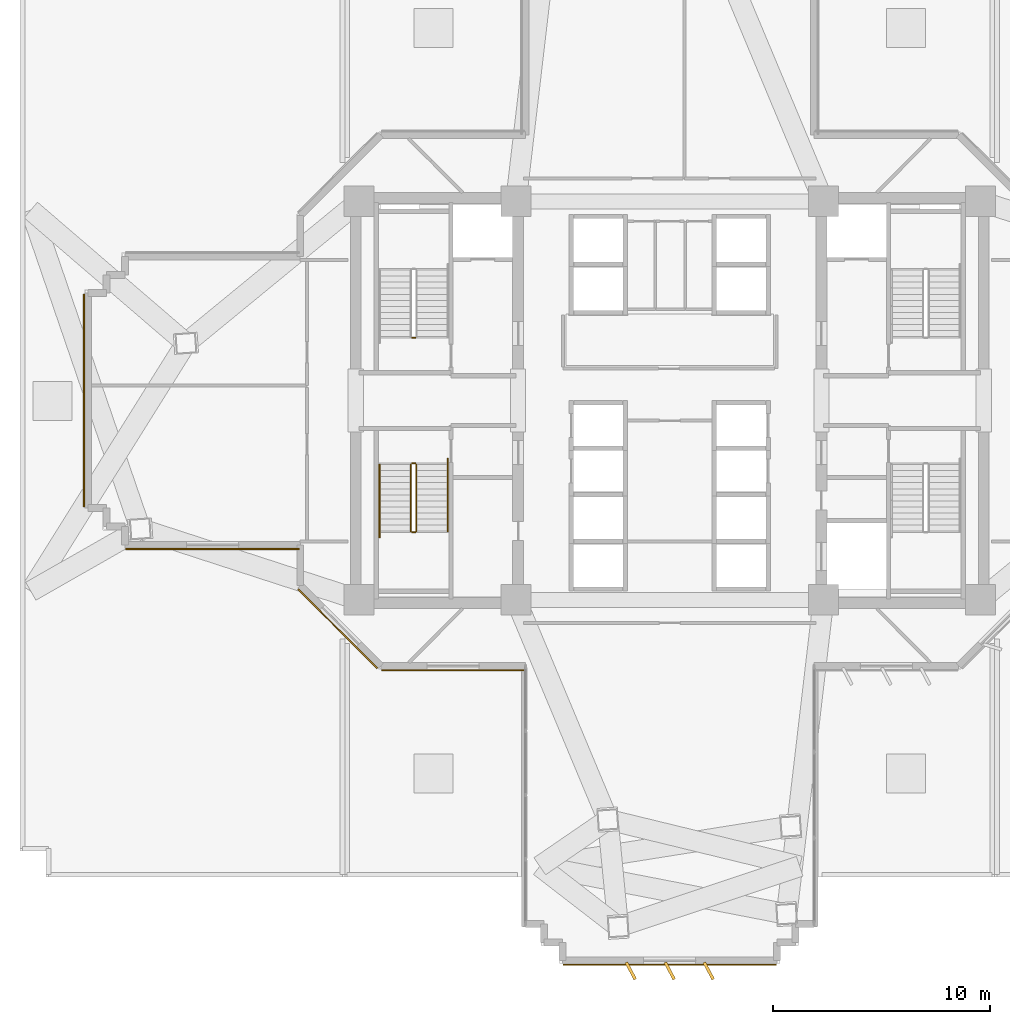
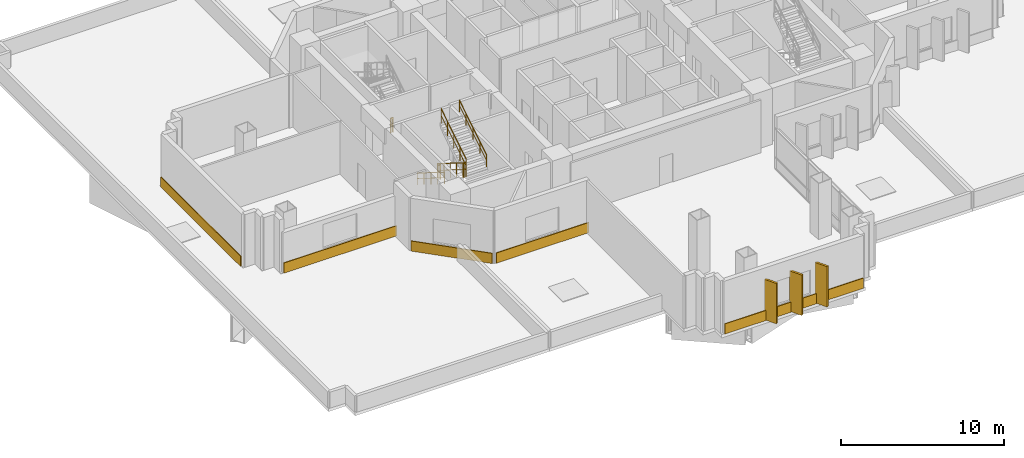
# One storey, part 12 of 15: 7 railings, 5 coverings, 3 shading devices.
"""IFC4 building model written with IfcOpenShell, lengths in metres."""

from ifc_helpers import new_model, si_unit, direction, frame, origin, origin_2d, place, context, subcontext, project, spatial, rectangle, extrude, source, transform, mapped, material, layer, layer_set, type_object, element, save


model = new_model("IFC4")

# Units and contexts
model_context = context("Model", 3, precision=1e-05, world=origin(), true_north=direction((0.0, 1.0)))
body_context = subcontext(model_context, "Body", "Model", "MODEL_VIEW")
ifc_project = project(units=[si_unit("LENGTHUNIT", "METRE"), si_unit("AREAUNIT", "SQUARE_METRE"), si_unit("VOLUMEUNIT", "CUBIC_METRE"), si_unit("PLANEANGLEUNIT", "RADIAN"), si_unit("MASSUNIT", "GRAM", prefix="KILO")], contexts=[model_context])

# Site, building, storey
site_placement = place(None, origin())
site = spatial("IfcSite", under=ifc_project, at=site_placement, CompositionType="ELEMENT")
building_placement = place(site_placement, origin())
building = spatial("IfcBuilding", under=site, at=building_placement, Name="Zahravan Cultural Tower", CompositionType="ELEMENT")
storey_placement = place(building_placement, frame((0.0, 0.0, 29.10009765625)))
storey = spatial("IfcBuildingStorey", under=building, at=storey_placement, Name="L05", CompositionType="ELEMENT", Elevation=29.10009765625)

# Railings
ifc_material_1 = material(Name="Steel ASTM A572 Grade 50", Category="steel")
railing_type_1 = type_object("IfcRailingType", Name="RL-STAIR-GRD1150", PredefinedType="BALUSTRADE", material=ifc_material_1)
railing_1_placement = place(storey_placement, frame((24.25, 29.89990234375, 0.0)))
element("IfcRailing", 1, at=railing_1_placement, inside=storey, type_object=railing_type_1, Name="L05 ST-W1 stair guard 4", PredefinedType="BALUSTRADE", context=body_context, shape_type="SweptSolid", body=[
    extrude(rectangle(XDim=0.05, YDim=0.05, at=origin_2d()), frame((0.0, 0.0, 1.0751953125), z_axis=(-1.0, 0.0, 0.0), x_axis=(0.0, -1.0, 0.0)), (0.0, 0.0, 1.0), 0.14990234375),
    extrude(rectangle(XDim=0.032, YDim=0.032, at=origin_2d()), frame((0.0, 0.0, 0.572021484375), z_axis=(-1.0, 0.0, 0.0), x_axis=(0.0, -1.0, 0.0)), (0.0, 0.0, 1.0), 0.14990234375),
    extrude(rectangle(XDim=0.04, YDim=0.04, at=origin_2d()), origin(), (0.0, 0.0, 1.0), 1.10009765625),
    extrude(rectangle(XDim=0.04, YDim=0.04, at=origin_2d()), frame((-0.14990234375, 0.0, 0.0)), (0.0, 0.0, 1.0), 1.10009765625),
])
railing_2_placement = place(storey_placement, frame((24.050048828125, 24.050048828125, 0.1748046875)))
element("IfcRailing", 2, at=railing_2_placement, inside=storey, type_object=railing_type_1, Name="L05 ST-W2 stair guard 1", PredefinedType="BALUSTRADE", context=body_context, shape_type="SweptSolid", body=[
    extrude(rectangle(XDim=0.05, YDim=0.05, at=origin_2d()), frame((0.0, 0.0, 1.0751953125), z_axis=(0.0, -0.847998304005, 0.529998940003), x_axis=(1.0, 0.0, 0.0)), (0.0, 0.0, 1.0), 3.632080078125),
    extrude(rectangle(XDim=0.032, YDim=0.032, at=origin_2d()), frame((0.0, 0.0, 0.572021484375), z_axis=(0.0, -0.847998304005, 0.529998940003), x_axis=(1.0, 0.0, 0.0)), (0.0, 0.0, 1.0), 3.632080078125),
    extrude(rectangle(XDim=0.04, YDim=0.04, at=origin_2d()), origin(), (0.0, 0.0, 1.0), 1.10009765625),
    extrude(rectangle(XDim=0.04, YDim=0.04, at=origin_2d()), frame((0.0, -0.77001953125, 0.481201171875)), (0.0, 0.0, 1.0), 1.10009765625),
    extrude(rectangle(XDim=0.04, YDim=0.04, at=origin_2d()), frame((0.0, -1.5400390625, 0.96240234375)), (0.0, 0.0, 1.0), 1.10009765625),
    extrude(rectangle(XDim=0.04, YDim=0.04, at=origin_2d()), frame((0.0, -2.31005859375, 1.44384765625)), (0.0, 0.0, 1.0), 1.10009765625),
    extrude(rectangle(XDim=0.04, YDim=0.04, at=origin_2d()), frame((0.0, -3.080078125, 1.925048828125)), (0.0, 0.0, 1.0), 1.10009765625),
])
railing_3_placement = place(storey_placement, frame((24.10009765625, 20.919921875, 2.099853515625)))
element("IfcRailing", 3, at=railing_3_placement, inside=storey, type_object=railing_type_1, Name="L05 ST-W2 stair guard 2", PredefinedType="BALUSTRADE", context=body_context, shape_type="SweptSolid", body=[
    extrude(rectangle(XDim=0.05, YDim=0.05, at=origin_2d()), frame((0.0, 0.0, 1.0751953125), z_axis=(1.0, 0.0, 0.0), x_axis=(0.0, 1.0, 0.0)), (0.0, 0.0, 1.0), 0.14990234375),
    extrude(rectangle(XDim=0.032, YDim=0.032, at=origin_2d()), frame((0.0, 0.0, 0.572021484375), z_axis=(1.0, 0.0, 0.0), x_axis=(0.0, 1.0, 0.0)), (0.0, 0.0, 1.0), 0.14990234375),
    extrude(rectangle(XDim=0.04, YDim=0.04, at=origin_2d()), origin(), (0.0, 0.0, 1.0), 1.10009765625),
    extrude(rectangle(XDim=0.04, YDim=0.04, at=origin_2d()), frame((0.14990234375, 0.0, 0.0)), (0.0, 0.0, 1.0), 1.10009765625),
])
railing_4_placement = place(storey_placement, frame((24.300048828125, 20.969970703125, 2.27490234375)))
element("IfcRailing", 4, at=railing_4_placement, inside=storey, type_object=railing_type_1, Name="L05 ST-W2 stair guard 3", PredefinedType="BALUSTRADE", context=body_context, shape_type="SweptSolid", body=[
    extrude(rectangle(XDim=0.05, YDim=0.05, at=origin_2d()), frame((0.0, 0.0, 1.0751953125), z_axis=(0.0, 0.847998304005, 0.529998940003), x_axis=(-1.0, 0.0, 0.0)), (0.0, 0.0, 1.0), 3.632080078125),
    extrude(rectangle(XDim=0.032, YDim=0.032, at=origin_2d()), frame((0.0, 0.0, 0.572021484375), z_axis=(0.0, 0.847998304005, 0.529998940003), x_axis=(-1.0, 0.0, 0.0)), (0.0, 0.0, 1.0), 3.632080078125),
    extrude(rectangle(XDim=0.04, YDim=0.04, at=origin_2d()), origin(), (0.0, 0.0, 1.0), 1.10009765625),
    extrude(rectangle(XDim=0.04, YDim=0.04, at=origin_2d()), frame((0.0, 0.77001953125, 0.481201171875)), (0.0, 0.0, 1.0), 1.10009765625),
    extrude(rectangle(XDim=0.04, YDim=0.04, at=origin_2d()), frame((0.0, 1.5400390625, 0.96240234375)), (0.0, 0.0, 1.0), 1.10009765625),
    extrude(rectangle(XDim=0.04, YDim=0.04, at=origin_2d()), frame((0.0, 2.31005859375, 1.44384765625)), (0.0, 0.0, 1.0), 1.10009765625),
    extrude(rectangle(XDim=0.04, YDim=0.04, at=origin_2d()), frame((0.0, 3.080078125, 1.925048828125)), (0.0, 0.0, 1.0), 1.10009765625),
])
railing_5_placement = place(storey_placement, frame((24.10009765625, 24.10009765625, 0.0)))
element("IfcRailing", 5, at=railing_5_placement, inside=storey, type_object=railing_type_1, Name="L05 ST-W2 stair guard 4", PredefinedType="BALUSTRADE", context=body_context, shape_type="SweptSolid", body=[
    extrude(rectangle(XDim=0.05, YDim=0.05, at=origin_2d()), frame((0.0, 0.0, 1.0751953125), z_axis=(1.0, 0.0, 0.0), x_axis=(0.0, 1.0, 0.0)), (0.0, 0.0, 1.0), 0.14990234375),
    extrude(rectangle(XDim=0.032, YDim=0.032, at=origin_2d()), frame((0.0, 0.0, 0.572021484375), z_axis=(1.0, 0.0, 0.0), x_axis=(0.0, 1.0, 0.0)), (0.0, 0.0, 1.0), 0.14990234375),
    extrude(rectangle(XDim=0.04, YDim=0.04, at=origin_2d()), origin(), (0.0, 0.0, 1.0), 1.10009765625),
    extrude(rectangle(XDim=0.04, YDim=0.04, at=origin_2d()), frame((0.14990234375, 0.0, 0.0)), (0.0, 0.0, 1.0), 1.10009765625),
])
railing_type_2 = type_object("IfcRailingType", Name="RL-STAIR-HR900", PredefinedType="HANDRAIL", material=ifc_material_1)
railing_6_placement = place(storey_placement, frame((22.60009765625, 24.050048828125, 0.1748046875)))
element("IfcRailing", 6, at=railing_6_placement, inside=storey, type_object=railing_type_2, Name="L05 ST-W2 stair handrail 1", PredefinedType="HANDRAIL", context=body_context, shape_type="SweptSolid", body=[
    extrude(rectangle(XDim=0.05, YDim=0.05, at=origin_2d()), frame((0.0, 0.0, 0.875), z_axis=(0.0, -0.847994842521, 0.530004478338), x_axis=(1.0, 0.0, 0.0)), (0.0, 0.0, 1.0), 3.96240234375),
    extrude(rectangle(XDim=0.032, YDim=0.032, at=origin_2d()), frame((0.0, 0.0, 0.468017578125), z_axis=(0.0, -0.847994842521, 0.530004478338), x_axis=(1.0, 0.0, 0.0)), (0.0, 0.0, 1.0), 3.96240234375),
    extrude(rectangle(XDim=0.04, YDim=0.04, at=origin_2d()), origin(), (0.0, 0.0, 1.0), 0.89990234375),
    extrude(rectangle(XDim=0.04, YDim=0.04, at=origin_2d()), frame((0.0, -0.840087890625, 0.52490234375)), (0.0, 0.0, 1.0), 0.89990234375),
    extrude(rectangle(XDim=0.04, YDim=0.04, at=origin_2d()), frame((0.0, -1.68017578125, 1.050048828125)), (0.0, 0.0, 1.0), 0.89990234375),
    extrude(rectangle(XDim=0.04, YDim=0.04, at=origin_2d()), frame((0.0, -2.52001953125, 1.5751953125)), (0.0, 0.0, 1.0), 0.89990234375),
    extrude(rectangle(XDim=0.04, YDim=0.04, at=origin_2d()), frame((0.0, -3.360107421875, 2.10009765625)), (0.0, 0.0, 1.0), 0.89990234375),
])
railing_7_placement = place(storey_placement, frame((25.75, 20.969970703125, 2.27490234375)))
element("IfcRailing", 7, at=railing_7_placement, inside=storey, type_object=railing_type_2, Name="L05 ST-W2 stair handrail 2", PredefinedType="HANDRAIL", context=body_context, shape_type="SweptSolid", body=[
    extrude(rectangle(XDim=0.05, YDim=0.05, at=origin_2d()), frame((0.0, 0.0, 0.875), z_axis=(0.0, 0.847994842521, 0.530004478338), x_axis=(-1.0, 0.0, 0.0)), (0.0, 0.0, 1.0), 3.96240234375),
    extrude(rectangle(XDim=0.032, YDim=0.032, at=origin_2d()), frame((0.0, 0.0, 0.468017578125), z_axis=(0.0, 0.847994842521, 0.530004478338), x_axis=(-1.0, 0.0, 0.0)), (0.0, 0.0, 1.0), 3.96240234375),
    extrude(rectangle(XDim=0.04, YDim=0.04, at=origin_2d()), origin(), (0.0, 0.0, 1.0), 0.89990234375),
    extrude(rectangle(XDim=0.04, YDim=0.04, at=origin_2d()), frame((0.0, 0.840087890625, 0.52490234375)), (0.0, 0.0, 1.0), 0.89990234375),
    extrude(rectangle(XDim=0.04, YDim=0.04, at=origin_2d()), frame((0.0, 1.68017578125, 1.050048828125)), (0.0, 0.0, 1.0), 0.89990234375),
    extrude(rectangle(XDim=0.04, YDim=0.04, at=origin_2d()), frame((0.0, 2.52001953125, 1.5751953125)), (0.0, 0.0, 1.0), 0.89990234375),
    extrude(rectangle(XDim=0.04, YDim=0.04, at=origin_2d()), frame((0.0, 3.360107421875, 2.10009765625)), (0.0, 0.0, 1.0), 0.89990234375),
])

# Covering
ifc_material_2 = material(Name="Terracotta ceramic cladding", Category="masonry")
ifc_layer = layer(ifc_material_2, 0.06005859375)
ifc_layer_set = layer_set([ifc_layer], Name="Terracotta ceramic cladding")
covering_type = type_object("IfcCoveringType", Name="COV-CLAD-TC60", PredefinedType="CLADDING", material=ifc_layer_set)
shared_shape_1 = source(origin(), body_context, "Body", "SweptSolid", [
    extrude(rectangle(XDim=8.0, YDim=0.06005859375, at=origin_2d()), origin(), (0.0, 0.0, 1.0), 0.760009765625),
])
covering_1_placement = place(storey_placement, frame((14.889892578125, 20.155029296875, 0.02001953125), z_axis=(0.0, 0.0, 1.0), x_axis=(-1.0, 0.0, 0.0)))
element("IfcCovering", 8, at=covering_1_placement, inside=storey, type_object=covering_type, Name="L05 Terracotta Spandrel Cladding 27", PredefinedType="CLADDING", context=body_context, shape_type="MappedRepresentation", body=[
    mapped(shared_shape_1, transform((0.0, 0.0, 0.0), x_axis=(1.0, 0.0, 0.0), y_axis=(0.0, 1.0, 0.0), z_axis=(0.0, 0.0, 1.0), scale=1.0)),
])

# Shading devices
ifc_material_3 = material(Name="Architectural terracotta fin", Category="masonry")
shading_device_type = type_object("IfcShadingDeviceType", Name="SHD-FIN-880", PredefinedType="USERDEFINED", material=ifc_material_3)
shared_shape_2 = source(origin(), body_context, "Body", "SweptSolid", [
    extrude(rectangle(XDim=0.8798828125, YDim=0.139892578125, at=origin_2d()), origin(), (0.0, 0.0, 1.0), 3.030029296875),
])
for number, where, z_axis, x_axis, name in (
    (9, (37.800048828125, 0.669921875, 0.0498046875), (0.0, 0.0, 1.0), (0.469471562786, -0.882947592859, 0.0), "L05 Herringbone Terracotta Fin 15"),
    (10, (36.0, 0.669921875, 0.0498046875), (0.0, 0.0, 1.0), (0.469471562786, -0.882947592859, 0.0), "L05 Herringbone Terracotta Fin 16"),
    (11, (34.199951171875, 0.669921875, 0.0498046875), (0.0, 0.0, 1.0), (0.469471562786, -0.882947592859, 0.0), "L05 Herringbone Terracotta Fin 17"),
):
    element("IfcShadingDevice", number, at=place(storey_placement, frame(where, z_axis=z_axis, x_axis=x_axis)), inside=storey, type_object=shading_device_type, Name=name, ObjectType="FIN", PredefinedType="USERDEFINED", context=body_context, shape_type="MappedRepresentation", body=[
        mapped(shared_shape_2, transform((0.0, 0.0, 0.0), x_axis=(1.0, 0.0, 0.0), y_axis=(0.0, 1.0, 0.0), z_axis=(0.0, 0.0, 1.0), scale=1.0)),
    ])

# Coverings
shared_shape_3 = source(origin(), body_context, "Body", "SweptSolid", [
    extrude(rectangle(XDim=9.820068359375, YDim=0.06005859375, at=origin_2d()), origin(), (0.0, 0.0, 1.0), 0.760009765625),
])
for number, where, z_axis, x_axis, name in (
    (12, (36.0, 0.955078125, 0.02001953125), (0.0, 0.0, 1.0), (-1.0, 0.0, 0.0), "L05 Terracotta Spandrel Cladding 19"),
    (13, (8.955078125, 27.0, 0.02001953125), (0.0, 0.0, 1.0), (0.0, 1.0, 0.0), "L05 Terracotta Spandrel Cladding 32"),
):
    element("IfcCovering", number, at=place(storey_placement, frame(where, z_axis=z_axis, x_axis=x_axis)), inside=storey, type_object=covering_type, Name=name, PredefinedType="CLADDING", context=body_context, shape_type="MappedRepresentation", body=[
        mapped(shared_shape_3, transform((0.0, 0.0, 0.0), x_axis=(1.0, 0.0, 0.0), y_axis=(0.0, 1.0, 0.0), z_axis=(0.0, 0.0, 1.0), scale=1.0)),
    ])
shared_shape_4 = source(origin(), body_context, "Body", "SweptSolid", [
    extrude(rectangle(XDim=5.157958984375, YDim=0.06005859375, at=origin_2d()), origin(), (0.0, 0.0, 1.0), 0.760009765625),
])
covering_2_placement = place(storey_placement, frame((20.668212890625, 16.46826171875, 0.02001953125), z_axis=(0.0, 0.0, 1.0), x_axis=(-0.707106781187, 0.707106781187, 0.0)))
element("IfcCovering", 14, at=covering_2_placement, inside=storey, type_object=covering_type, Name="L05 Terracotta Spandrel Cladding 25", PredefinedType="CLADDING", context=body_context, shape_type="MappedRepresentation", body=[
    mapped(shared_shape_4, transform((0.0, 0.0, 0.0), x_axis=(1.0, 0.0, 0.0), y_axis=(0.0, 1.0, 0.0), z_axis=(0.0, 0.0, 1.0), scale=1.0)),
])
shared_shape_5 = source(origin(), body_context, "Body", "SweptSolid", [
    extrude(rectangle(XDim=6.58203125, YDim=0.06005859375, at=origin_2d()), origin(), (0.0, 0.0, 1.0), 0.760009765625),
])
covering_3_placement = place(storey_placement, frame((25.9990234375, 14.554931640625, 0.02001953125), z_axis=(0.0, 0.0, 1.0), x_axis=(-1.0, 0.0, 0.0)))
element("IfcCovering", 15, at=covering_3_placement, inside=storey, type_object=covering_type, Name="L05 Terracotta Spandrel Cladding 24", PredefinedType="CLADDING", context=body_context, shape_type="MappedRepresentation", body=[
    mapped(shared_shape_5, transform((0.0, 0.0, 0.0), x_axis=(1.0, 0.0, 0.0), y_axis=(0.0, 1.0, 0.0), z_axis=(0.0, 0.0, 1.0), scale=1.0)),
])

save(model, "model.ifc")
